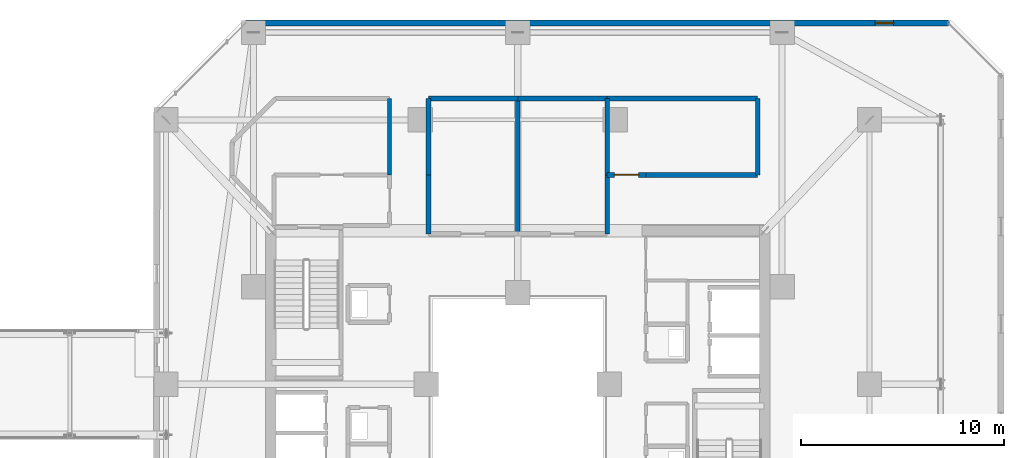
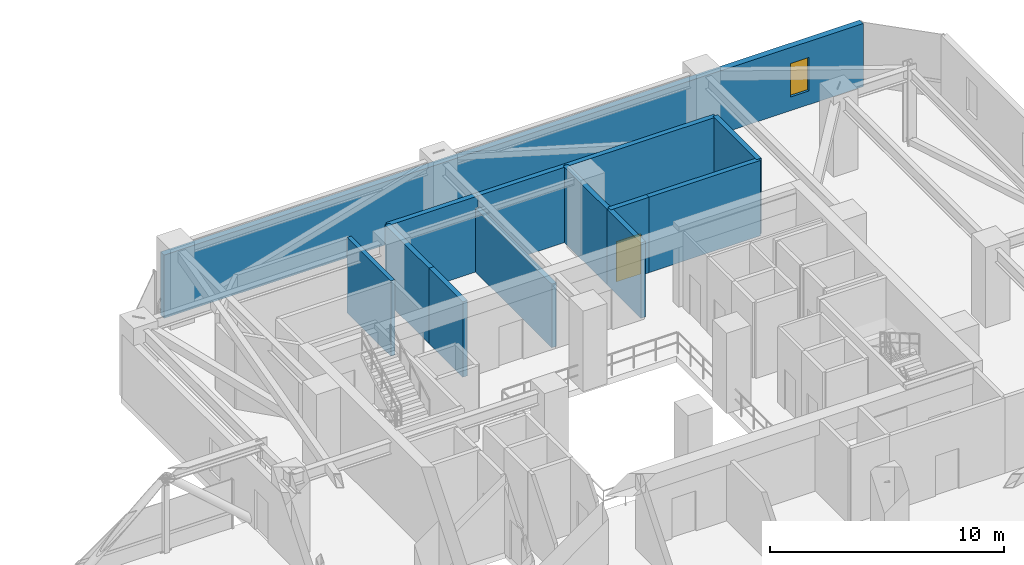
# One storey, part 42 of 45: 13 walls, 1 door, 1 window, 2 openings.
"""IFC4 building model written with IfcOpenShell, lengths in metres."""

from ifc_helpers import new_model, si_unit, direction, frame, frame_2d, origin, place, context, subcontext, project, spatial, rectangle, extrude, material, layer, layer_set, type_object, element, fill, save


model = new_model("IFC4")

# Units and contexts
model_context = context("Model", 3, precision=1e-05, world=origin(), true_north=direction((0.0, 1.0)))
body_context = subcontext(model_context, "Body", "Model", "MODEL_VIEW")
ifc_project = project(units=[si_unit("LENGTHUNIT", "METRE"), si_unit("AREAUNIT", "SQUARE_METRE"), si_unit("VOLUMEUNIT", "CUBIC_METRE"), si_unit("PLANEANGLEUNIT", "RADIAN"), si_unit("MASSUNIT", "GRAM", prefix="KILO")], contexts=[model_context])

# Site, building, storey
site_placement = place(None, origin())
site = spatial("IfcSite", under=ifc_project, at=site_placement, CompositionType="ELEMENT")
building_placement = place(site_placement, origin())
building = spatial("IfcBuilding", under=site, at=building_placement, Name="Thornwick Lancets Civic Towers", CompositionType="ELEMENT")
storey_placement = place(building_placement, frame((0.0, 0.0, 141.300048828125)))
storey = spatial("IfcBuildingStorey", under=building, at=storey_placement, Name="L37", CompositionType="ELEMENT", Elevation=141.300048828125)

# Walls
ifc_material_1 = material(Name="Concrete blockwork C40/50", Category="masonry")
ifc_layer_1 = layer(ifc_material_1, 0.199951171875, Name="Concrete blockwork C40/50")
ifc_layer_set_1 = layer_set([ifc_layer_1], Name="Concrete blockwork C40/50")
wall_type_1 = type_object("IfcWallType", Name="WALL_COMP_200", PredefinedType="STANDARD", material=ifc_layer_set_1)
wall_1_placement = place(storey_placement, frame((82.199951171875, 41.050048828125, 0.0), z_axis=(0.0, 0.0, 1.0), x_axis=(0.0, -1.0, 0.0)))
element("IfcWall", 1, at=wall_1_placement, inside=storey, type_object=wall_type_1, Name="L37 Partition L37-B-REF2 E6", PredefinedType="STANDARD", context=body_context, shape_type="SweptSolid", body=[
    extrude(rectangle(XDim=3.75, YDim=0.199951171875, at=frame_2d((1.875, 0.0))), origin(), (0.0, 0.0, 1.0), 3.93994140625),
])
ifc_layer_2 = layer(ifc_material_1, 0.239990234375, Name="Concrete blockwork C40/50")
ifc_layer_set_2 = layer_set([ifc_layer_2], Name="Concrete blockwork C40/50")
wall_type_2 = type_object("IfcWallType", Name="WALL_COMP_240", PredefinedType="STANDARD", material=ifc_layer_set_2)
wall_2_placement = place(storey_placement, frame((88.5, 34.39990234375, 0.0), z_axis=(0.0, 0.0, 1.0), x_axis=(0.0, 1.0, 0.0)))
element("IfcWall", 2, at=wall_2_placement, inside=storey, type_object=wall_type_2, Name="L37 Partition L37-B-PL-SMK E1", PredefinedType="STANDARD", context=body_context, shape_type="SweptSolid", body=[
    extrude(rectangle(XDim=6.650146484375, YDim=0.239990234375, at=frame_2d((3.3251953125, 0.0))), origin(), (0.0, 0.0, 1.0), 3.32470703125),
])
wall_3_placement = place(storey_placement, frame((88.5, 41.050048828125, 0.0), z_axis=(0.0, 0.0, 1.0), x_axis=(1.0, 0.0, 0.0)))
element("IfcWall", 3, at=wall_3_placement, inside=storey, type_object=wall_type_2, Name="L37 Partition L37-B-PL-SMK E2", PredefinedType="STANDARD", context=body_context, shape_type="SweptSolid", body=[
    extrude(rectangle(XDim=4.39990234375, YDim=0.239990234375, at=frame_2d((2.199951171875, 0.0))), origin(), (0.0, 0.0, 1.0), 3.93994140625),
])
wall_4_placement = place(storey_placement, frame((92.89990234375, 41.050048828125, 0.0), z_axis=(0.0, 0.0, 1.0), x_axis=(0.0, -1.0, 0.0)))
element("IfcWall", 4, at=wall_4_placement, inside=storey, type_object=wall_type_2, Name="L37 Partition L37-B-PL-SMK E3", PredefinedType="STANDARD", context=body_context, shape_type="SweptSolid", body=[
    extrude(rectangle(XDim=3.75, YDim=0.239990234375, at=frame_2d((1.875, 0.0))), origin(), (0.0, 0.0, 1.0), 3.93994140625),
])
for number, where, z_axis, x_axis, name in (
    (5, (92.89990234375, 37.300048828125, 0.0), (0.0, 0.0, 1.0), (0.0, -1.0, 0.0), "L37 Partition L37-B-PL-SMK E4"),
    (6, (84.10009765625, 34.39990234375, 0.0), (0.0, 0.0, 1.0), (0.0, 1.0, 0.0), "L37 Partition L37-B-PL-PRS E1"),
):
    element("IfcWall", number, at=place(storey_placement, frame(where, z_axis=z_axis, x_axis=x_axis)), inside=storey, type_object=wall_type_2, Name=name, PredefinedType="STANDARD", context=body_context, shape_type="SweptSolid", body=[
        extrude(rectangle(XDim=2.900146484375, YDim=0.239990234375, at=frame_2d((1.4501953125, 0.0))), origin(), (0.0, 0.0, 1.0), 3.93994140625),
    ])
wall_5_placement = place(storey_placement, frame((84.10009765625, 37.300048828125, 0.0), z_axis=(0.0, 0.0, 1.0), x_axis=(0.0, 1.0, 0.0)))
element("IfcWall", 7, at=wall_5_placement, inside=storey, type_object=wall_type_2, Name="L37 Partition L37-B-PL-PRS E2", PredefinedType="STANDARD", context=body_context, shape_type="SweptSolid", body=[
    extrude(rectangle(XDim=3.75, YDim=0.239990234375, at=frame_2d((1.875, 0.0))), origin(), (0.0, 0.0, 1.0), 3.93994140625),
])
wall_6_placement = place(storey_placement, frame((84.10009765625, 41.050048828125, 0.0), z_axis=(0.0, 0.0, 1.0), x_axis=(1.0, 0.0, 0.0)))
element("IfcWall", 8, at=wall_6_placement, inside=storey, type_object=wall_type_2, Name="L37 Partition L37-B-PL-PRS E3", PredefinedType="STANDARD", context=body_context, shape_type="SweptSolid", body=[
    extrude(rectangle(XDim=4.39990234375, YDim=0.239990234375, at=frame_2d((2.199951171875, 0.0))), origin(), (0.0, 0.0, 1.0), 3.93994140625),
])

# Wall, opening, door
wall_7_placement = place(storey_placement, frame((94.800048828125, 37.300048828125, 0.0), z_axis=(0.0, 0.0, 1.0), x_axis=(-1.0, 0.0, 0.0)))
wall_7 = element("IfcWall", 9, at=wall_7_placement, inside=storey, type_object=wall_type_2, Name="L37 Partition L37-B-PL-CHL E1", PredefinedType="STANDARD", context=body_context, shape_type="SweptSolid", body=[
    extrude(rectangle(XDim=1.900146484375, YDim=0.239990234375, at=frame_2d((0.9501953125, 0.0))), origin(), (0.0, 0.0, 1.0), 3.93994140625),
])
opening_1_placement = place(wall_7_placement, frame((0.35009765625, 0.0, 0.0)))
opening_1 = element("IfcOpeningElement", 10, at=opening_1_placement, cuts=wall_7, Name="Opening D-L37-1701", PredefinedType="OPENING", context=body_context, shape_type="SweptSolid", body=[
    extrude(rectangle(XDim=1.199951171875, YDim=2.10009765625, at=frame_2d((0.60009765625, 1.050048828125))), frame((0.0, 0.1298828125, 0.0), z_axis=(0.0, -1.0, 0.0), x_axis=(1.0, 0.0, 0.0)), (0.0, 0.0, 1.0), 0.260009765625),
])
ifc_material_2 = material(Name="Steel plant room doorset", Category="steel")
door_type = type_object("IfcDoorType", Name="DOOR_PLANT_1200", OperationType="NOTDEFINED", PredefinedType="DOOR", material=ifc_material_2)
door_placement = place(opening_1_placement, origin())
door = element("IfcDoor", 11, at=door_placement, inside=storey, type_object=door_type, Name="L37 Tower B Chiller and Heat-Pump Plant Room Door", OperationType="SINGLE_SWING_RIGHT", OverallHeight=2.10009765625, OverallWidth=1.199951171875, PredefinedType="DOOR", context=body_context, shape_type="SweptSolid", body=[
    extrude(rectangle(XDim=1.199951171875, YDim=2.10009765625, at=frame_2d((0.60009765625, 1.050048828125))), frame((0.0, 0.02490234375, 0.0), z_axis=(0.0, -1.0, 0.0), x_axis=(1.0, 0.0, 0.0)), (0.0, 0.0, 1.0), 0.050048828125),
])
fill(opening_1, door)

# Walls
wall_8_placement = place(storey_placement, frame((92.89990234375, 41.050048828125, 0.0), z_axis=(0.0, 0.0, 1.0), x_axis=(1.0, 0.0, 0.0)))
element("IfcWall", 12, at=wall_8_placement, inside=storey, type_object=wall_type_2, Name="L37 Partition L37-B-PL-CHL E3", PredefinedType="STANDARD", context=body_context, shape_type="SweptSolid", body=[
    extrude(rectangle(XDim=7.400146484375, YDim=0.239990234375, at=frame_2d((3.7001953125, 0.0))), origin(), (0.0, 0.0, 1.0), 3.93994140625),
])
wall_9_placement = place(storey_placement, frame((100.300048828125, 41.050048828125, 0.0), z_axis=(0.0, 0.0, 1.0), x_axis=(0.0, -1.0, 0.0)))
element("IfcWall", 13, at=wall_9_placement, inside=storey, type_object=wall_type_2, Name="L37 Partition L37-B-PL-CHL E4", PredefinedType="STANDARD", context=body_context, shape_type="SweptSolid", body=[
    extrude(rectangle(XDim=3.75, YDim=0.239990234375, at=frame_2d((1.875, 0.0))), origin(), (0.0, 0.0, 1.0), 3.93994140625),
])
wall_10_placement = place(storey_placement, frame((100.300048828125, 37.300048828125, 0.0), z_axis=(0.0, 0.0, 1.0), x_axis=(-1.0, 0.0, 0.0)))
element("IfcWall", 14, at=wall_10_placement, inside=storey, type_object=wall_type_2, Name="L37 Partition L37-B-PL-CHL E5", PredefinedType="STANDARD", context=body_context, shape_type="SweptSolid", body=[
    extrude(rectangle(XDim=5.5, YDim=0.239990234375, at=frame_2d((2.75, 0.0))), origin(), (0.0, 0.0, 1.0), 3.93994140625),
])

# Wall, opening, window
ifc_material_3 = material(Name="Insulated russet terracotta rainscreen on concrete C40/50", Category="masonry")
ifc_layer_3 = layer(ifc_material_3, 0.300048828125, Name="Insulated russet terracotta rainscreen on concrete C40/50")
ifc_layer_set_3 = layer_set([ifc_layer_3], Name="Insulated russet terracotta rainscreen on concrete C40/50")
wall_type_3 = type_object("IfcWallType", Name="WALL_EXT_RUSSET_300", PredefinedType="STANDARD", material=ifc_layer_set_3)
wall_11_placement = place(storey_placement, frame((109.681396484375, 44.7646484375, 0.0), z_axis=(0.0, 0.0, 1.0), x_axis=(-0.999999985636, -0.000169493917, 0.0)))
wall_11 = element("IfcWall", 15, at=wall_11_placement, inside=storey, type_object=wall_type_3, Name="L37 Tower B Terracotta Facade Wall E4", PredefinedType="STANDARD", context=body_context, shape_type="SweptSolid", body=[
    extrude(rectangle(XDim=34.56982421875, YDim=0.300048828125, at=frame_2d((17.284912109375, 0.0))), origin(), (0.0, 0.0, 1.0), 3.300048828125),
])
opening_2_placement = place(wall_11_placement, frame((2.699951171875, 0.0, 0.719970703125)))
opening_2 = element("IfcOpeningElement", 16, at=opening_2_placement, cuts=wall_11, Name="Opening WL-01", PredefinedType="OPENING", context=body_context, shape_type="SweptSolid", body=[
    extrude(rectangle(XDim=0.89990234375, YDim=1.75, at=frame_2d((0.449951171875, 0.875))), frame((0.0, 0.16015625, 0.0), z_axis=(0.0, -1.0, 0.0), x_axis=(1.0, 0.0, 0.0)), (0.0, 0.0, 1.0), 0.320068359375),
])
ifc_material_4 = material(Name="Clear low-e double glazing in bronze frame", Category="glass")
window_type = type_object("IfcWindowType", Name="WIN_LANCET_900", PartitioningType="SINGLE_PANEL", PredefinedType="WINDOW", material=ifc_material_4)
window_placement = place(opening_2_placement, origin())
window = element("IfcWindow", 17, at=window_placement, inside=storey, type_object=window_type, Name="L37 Tower B Staggered Lancet Window E4-1", OverallHeight=1.75, OverallWidth=0.89990234375, PartitioningType="SINGLE_PANEL", PredefinedType="WINDOW", context=body_context, shape_type="SweptSolid", body=[
    extrude(rectangle(XDim=0.89990234375, YDim=1.75, at=frame_2d((0.449951171875, 0.875))), frame((0.0, 0.030029296875, 0.0), z_axis=(0.0, -1.0, 0.0), x_axis=(1.0, 0.0, 0.0)), (0.0, 0.0, 1.0), 0.06005859375),
])
fill(opening_2, window)

save(model, "model.ifc")
